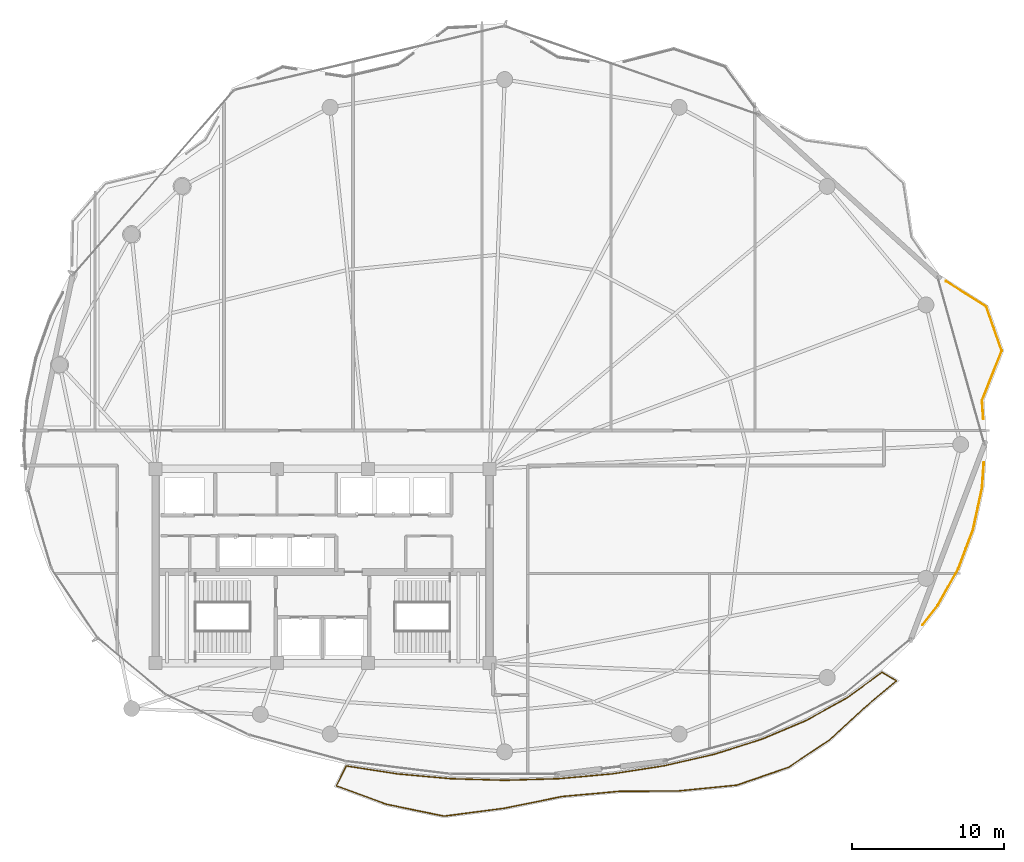
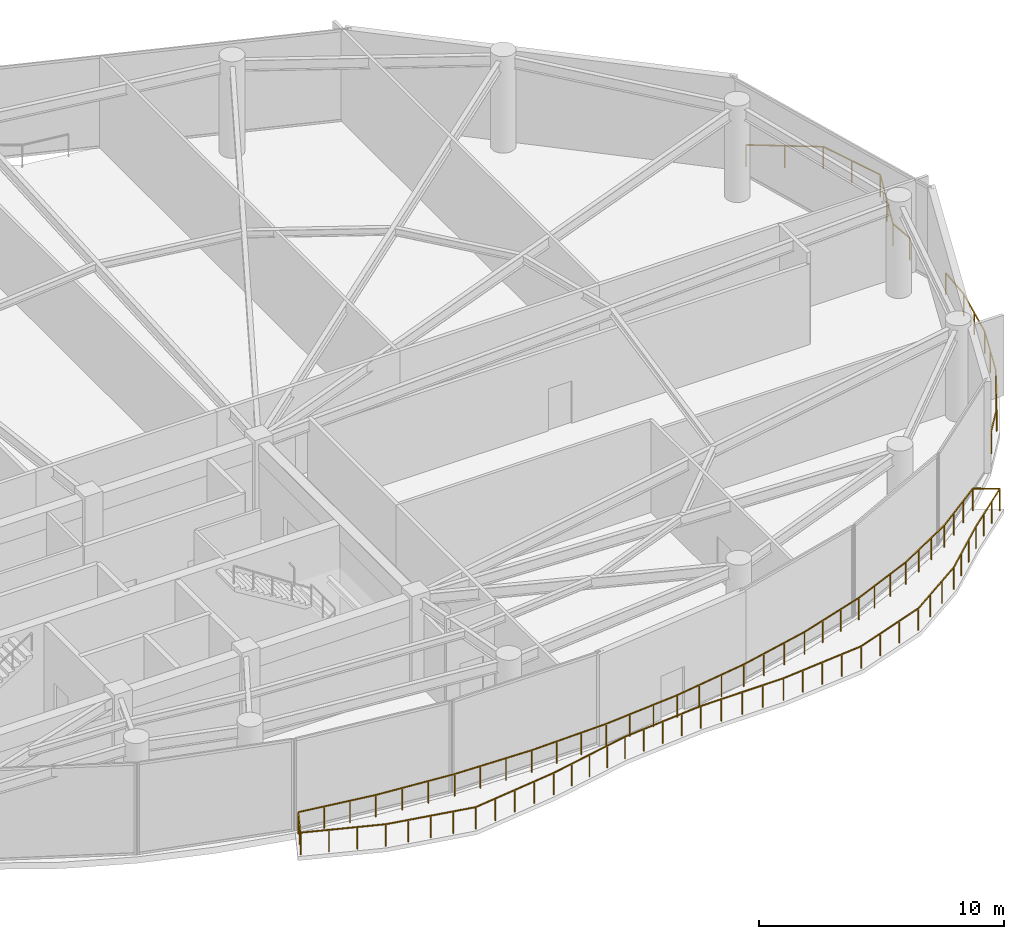
# One storey, part 27 of 28: 3 railings.
"""IFC4 building model written with IfcOpenShell, lengths in metres."""

import ifcopenshell
import ifcopenshell.guid

model = None  # the IFC model being written
_history = None  # IfcOwnerHistory: only IFC2X3 demands one
_inside = {}  # id of a spatial element -> (the spatial element, [elements in it])
_under = {}  # id of a project, library or spatial element -> (it, [spatial elements below it])
_declared = {}  # id of a project -> (the project, [libraries it declares])
_typed = {}  # id of a type object -> (the type object, [elements of that type])
_made_of = {}  # id of a material, layer set ... -> (it, [elements and type objects made of it])


def new_model(schema):
    """Start an empty IFC model of exactly this schema.

    Asked for "IFC4X3", IfcOpenShell would pick the latest addendum, in which some entities
    have other attributes; the version numbers below select the first issue.
    IFC2X3 requires an IfcOwnerHistory on every rooted entity: one is made here for all.
    """
    global model, _history
    if schema == "IFC4X3":
        model = ifcopenshell.file(schema_version=(4, 3, 0, 0))
    else:
        model = ifcopenshell.file(schema=schema)
    _inside.clear()
    _under.clear()
    _declared.clear()
    _typed.clear()
    _made_of.clear()
    _history = None
    if model.schema == "IFC2X3":
        org = make("IfcOrganization", Name="unknown")
        user = make(
            "IfcPersonAndOrganization",
            ThePerson=make("IfcPerson", FamilyName="unknown"),
            TheOrganization=org,
        )
        app = make(
            "IfcApplication",
            ApplicationDeveloper=org,
            Version="unknown",
            ApplicationFullName="unknown",
            ApplicationIdentifier="unknown",
        )
        _history = make(
            "IfcOwnerHistory",
            OwningUser=user,
            OwningApplication=app,
            ChangeAction="ADDED",
            CreationDate=0,
        )
    return model


def make(cls, **values):
    """One entity of the class cls with the attributes given. An attribute that is None is left unset."""
    return model.create_entity(
        cls, **{name: value for name, value in values.items() if value is not None}
    )


def rooted(cls, **values):
    """An entity with a GlobalId (a new one), such as an element, a storey or a relation."""
    return make(cls, GlobalId=ifcopenshell.guid.new(), OwnerHistory=_history, **values)


def si_unit(unit_type, name, prefix=None):
    """IfcSIUnit, for example si_unit("LENGTHUNIT", "METRE", prefix="MILLI")."""
    return make("IfcSIUnit", UnitType=unit_type, Prefix=prefix, Name=name)


def assignment(units):
    """IfcUnitAssignment: the units of a project."""
    return None if units is None else make("IfcUnitAssignment", Units=units)


def point(xyz):
    """IfcCartesianPoint."""
    return None if xyz is None else make("IfcCartesianPoint", Coordinates=xyz)


def direction(xyz):
    """IfcDirection."""
    return None if xyz is None else make("IfcDirection", DirectionRatios=xyz)


def frame(location, z_axis=None, x_axis=None):
    """IfcAxis2Placement3D, a coordinate frame: its origin and axes. An axis left out is left unset."""
    return make(
        "IfcAxis2Placement3D",
        Location=point(location),
        Axis=direction(z_axis),
        RefDirection=direction(x_axis),
    )


def frame_2d(location, x_axis=None):
    """IfcAxis2Placement2D, a coordinate frame in the plane: its origin and x axis."""
    return make(
        "IfcAxis2Placement2D", Location=point(location), RefDirection=direction(x_axis)
    )


def origin():
    """The frame at (0, 0, 0) with its axes left unset."""
    return frame((0.0, 0.0, 0.0))


def origin_2d():
    """The frame at (0, 0) in the plane with its x axis left unset."""
    return frame_2d((0.0, 0.0))


def place(relative_to, where):
    """IfcLocalPlacement: puts the frame where relative to a parent placement (None: the world)."""
    return make(
        "IfcLocalPlacement", PlacementRelTo=relative_to, RelativePlacement=where
    )


def context(
    kind, dimensions, precision=None, world=None, true_north=None, identifier=None
):
    """IfcGeometricRepresentationContext, for example the 3D "Model" context."""
    return make(
        "IfcGeometricRepresentationContext",
        ContextIdentifier=identifier,
        ContextType=kind,
        CoordinateSpaceDimension=dimensions,
        Precision=precision,
        WorldCoordinateSystem=world,
        TrueNorth=true_north,
    )


def subcontext(parent, identifier, kind, view, scale=None):
    """IfcGeometricRepresentationSubContext, for example "Body" below "Model"."""
    return make(
        "IfcGeometricRepresentationSubContext",
        ContextIdentifier=identifier,
        ContextType=kind,
        ParentContext=parent,
        TargetScale=scale,
        TargetView=view,
    )


def project(units=None, contexts=None):
    """IfcProject with its units and contexts."""
    return rooted(
        "IfcProject",
        Name="project",
        RepresentationContexts=contexts,
        UnitsInContext=assignment(units),
    )


def spatial(cls, under=None, at=None, **own):
    """A site, building, storey or space (cls), placed at a placement, below another one or the project."""
    s = rooted(cls, ObjectPlacement=at, **own)
    if under is not None:
        _under.setdefault(under.id(), (under, []))[1].append(s)
    return s


def profile(cls, at=None, kind="AREA", **sizes):
    """A parametric profile (cls). Its sizes go by their IFC names, for example OverallWidth=200.0."""
    return make(cls, ProfileType=kind, Position=at, **sizes)


def rectangle(**sizes):
    """IfcRectangleProfileDef."""
    return profile("IfcRectangleProfileDef", **sizes)


def extrude(swept, where, along, depth):
    """IfcExtrudedAreaSolid: the profile swept, set in the frame where, extruded along a direction by depth."""
    return make(
        "IfcExtrudedAreaSolid",
        SweptArea=swept,
        Position=where,
        ExtrudedDirection=direction(along),
        Depth=depth,
    )


def shape(context_of_items, identifier, shape_type, items):
    """IfcShapeRepresentation: the items that make up one representation, for example the "Body"."""
    return make(
        "IfcShapeRepresentation",
        ContextOfItems=context_of_items,
        RepresentationIdentifier=identifier,
        RepresentationType=shape_type,
        Items=items,
    )


def material(Name=None, Category=None):
    """IfcMaterial."""
    return make("IfcMaterial", Name=Name, Category=Category)


def made_of(thing, what):
    """Note that an element or type object is made of a material, layer set ...; save() writes the relation."""
    if what is not None:
        _made_of.setdefault(what.id(), (what, []))[1].append(thing)
    return thing


def type_object(cls, material=None, **own):
    """A type object (cls), such as IfcWallType, which elements share."""
    return made_of(rooted(cls, **own), material)


def element(
    cls,
    number,
    at=None,
    inside=None,
    cuts=None,
    type_object=None,
    material=None,
    context=None,
    identifier="Body",
    shape_type=None,
    held_by="IfcProductDefinitionShape",
    body=None,
    shapes=None,
    **own,
):
    """One element of the class cls, such as IfcWall. Its Tag is "e" and its number.

    at: its placement. inside: the storey or other place that contains it. cuts: it is an
    opening in that element (IfcRelVoidsElement). A single representation is given by context,
    identifier, shape_type and body (its items); several are given by shapes. held_by: the class
    of the entity that holds the representations. save() writes the other relations.
    """
    e = rooted(cls, Tag="e%d" % number, ObjectPlacement=at, **own)
    if body is not None:
        shapes = [shape(context, identifier, shape_type, body)]
    if shapes is not None:
        e.Representation = make(held_by, Representations=shapes)
    if inside is not None:
        _inside.setdefault(inside.id(), (inside, []))[1].append(e)
    if cuts is not None:
        rooted(
            "IfcRelVoidsElement", RelatingBuildingElement=cuts, RelatedOpeningElement=e
        )
    if type_object is not None:
        _typed.setdefault(type_object.id(), (type_object, []))[1].append(e)
    return made_of(e, material)


def aggregate(whole, parts):
    """IfcRelAggregates: a whole, such as a stair, and the parts it consists of."""
    return rooted("IfcRelAggregates", RelatingObject=whole, RelatedObjects=parts)


def save(model, path):
    """Write the relations noted so far, then the file.

    IfcRelAggregates (storeys below a building ...), IfcRelContainedInSpatialStructure (elements
    in a storey), IfcRelDefinesByType, IfcRelAssociatesMaterial and IfcRelDeclares: one each for
    every whole, place, type object, material and project.
    """
    for whole, parts in _under.values():
        aggregate(whole, parts)
    for where, things in _inside.values():
        rooted(
            "IfcRelContainedInSpatialStructure",
            RelatedElements=things,
            RelatingStructure=where,
        )
    for kind, things in _typed.values():
        rooted("IfcRelDefinesByType", RelatedObjects=things, RelatingType=kind)
    for what, things in _made_of.values():
        rooted("IfcRelAssociatesMaterial", RelatedObjects=things, RelatingMaterial=what)
    for by, libraries in _declared.values():
        rooted("IfcRelDeclares", RelatingContext=by, RelatedDefinitions=libraries)
    model.write(path)


model = new_model("IFC4")

# Units and contexts
model_context = context("Model", 3, precision=1e-05, world=origin(), true_north=direction((0.0, 1.0)))
body_context = subcontext(model_context, "Body", "Model", "MODEL_VIEW")
ifc_project = project(units=[si_unit("LENGTHUNIT", "METRE"), si_unit("AREAUNIT", "SQUARE_METRE"), si_unit("VOLUMEUNIT", "CUBIC_METRE"), si_unit("PLANEANGLEUNIT", "RADIAN"), si_unit("MASSUNIT", "GRAM", prefix="KILO")], contexts=[model_context])

# Site, building, storey
site_placement = place(None, origin())
site = spatial("IfcSite", under=ifc_project, at=site_placement, CompositionType="ELEMENT")
building_placement = place(site_placement, origin())
building = spatial("IfcBuilding", under=site, at=building_placement, Name="Kazevale Care Tower and Concert Hall", CompositionType="ELEMENT")
storey_placement = place(building_placement, frame((0.0, 0.0, 190.800048828125)))
storey = spatial("IfcBuildingStorey", under=building, at=storey_placement, Name="L50", CompositionType="ELEMENT", Elevation=190.800048828125)

# Railings
ifc_material = material(Name="Anodised Bronze Aluminium and Laminated Glass", Category="aluminium")
railing_type = type_object("IfcRailingType", Name="Balcony and Terrace Balustrade 1120", PredefinedType="BALUSTRADE", material=ifc_material)
railing_1_placement = place(storey_placement, frame((76.576904296875, 36.81103515625, 0.0)))
element("IfcRailing", 1, at=railing_1_placement, inside=storey, type_object=railing_type, Name="rail:L50:perim:10", PredefinedType="BALUSTRADE", context=body_context, shape_type="SweptSolid", body=[
    extrude(rectangle(XDim=0.048095703125, YDim=0.048095703125, at=origin_2d()), frame((0.0, 0.0, 1.09619140625), z_axis=(-0.069683140934, -0.997569175481, 0.0), x_axis=(0.997569175481, -0.069683140934, 0.0)), (0.0, 0.0, 1.0), 1.664306640625),
    extrude(rectangle(XDim=0.048095703125, YDim=0.048095703125, at=origin_2d()), frame((-0.115966796875, -1.66015625, 1.09619140625), z_axis=(-0.210886672564, -0.97751051725, 0.0), x_axis=(0.97751051725, -0.210886672564, 0.0)), (0.0, 0.0, 1.0), 2.81201171875),
    extrude(rectangle(XDim=0.048095703125, YDim=0.048095703125, at=origin_2d()), frame((-0.708984375, -4.408935546875, 1.09619140625), z_axis=(-0.352914941795, -0.935655408715, 0.0), x_axis=(0.935655408715, -0.352914941795, 0.0)), (0.0, 0.0, 1.0), 2.77685546875),
    extrude(rectangle(XDim=0.048095703125, YDim=0.048095703125, at=origin_2d()), frame((-1.68896484375, -7.007080078125, 1.09619140625), z_axis=(-0.490131162051, -0.871648692987, 0.0), x_axis=(0.871648692987, -0.490131162051, 0.0)), (0.0, 0.0, 1.0), 2.762451171875),
    extrude(rectangle(XDim=0.048095703125, YDim=0.048095703125, at=origin_2d()), frame((-3.04296875, -9.4150390625, 1.09619140625), z_axis=(-0.615507243123, -0.788131228707, 0.0), x_axis=(0.788131228707, -0.615507243123, 0.0)), (0.0, 0.0, 1.0), 1.6279296875),
    extrude(rectangle(XDim=0.0419921875, YDim=0.0419921875, at=origin_2d()), origin(), (0.0, 0.0, 1.0), 1.072021484375),
    extrude(rectangle(XDim=0.0419921875, YDim=0.0419921875, at=origin_2d()), frame((-0.115966796875, -1.66015625, 0.0)), (0.0, 0.0, 1.0), 1.072021484375),
    extrude(rectangle(XDim=0.0419921875, YDim=0.0419921875, at=origin_2d()), frame((-0.41259765625, -3.03466796875, 0.0)), (0.0, 0.0, 1.0), 1.072021484375),
    extrude(rectangle(XDim=0.0419921875, YDim=0.0419921875, at=origin_2d()), frame((-0.708984375, -4.408935546875, 0.0)), (0.0, 0.0, 1.0), 1.072021484375),
    extrude(rectangle(XDim=0.0419921875, YDim=0.0419921875, at=origin_2d()), frame((-1.198974609375, -5.7080078125, 0.0)), (0.0, 0.0, 1.0), 1.072021484375),
    extrude(rectangle(XDim=0.0419921875, YDim=0.0419921875, at=origin_2d()), frame((-1.68896484375, -7.007080078125, 0.0)), (0.0, 0.0, 1.0), 1.072021484375),
    extrude(rectangle(XDim=0.0419921875, YDim=0.0419921875, at=origin_2d()), frame((-2.365966796875, -8.2109375, 0.0)), (0.0, 0.0, 1.0), 1.072021484375),
    extrude(rectangle(XDim=0.0419921875, YDim=0.0419921875, at=origin_2d()), frame((-3.04296875, -9.4150390625, 0.0)), (0.0, 0.0, 1.0), 1.072021484375),
    extrude(rectangle(XDim=0.0419921875, YDim=0.0419921875, at=origin_2d()), frame((-4.044921875, -10.697998046875, 0.0)), (0.0, 0.0, 1.0), 1.072021484375),
])
railing_2_placement = place(storey_placement, frame((74.073974609375, 48.760009765625, 0.0)))
element("IfcRailing", 2, at=railing_2_placement, inside=storey, type_object=railing_type, Name="rail:L50:perim:11", PredefinedType="BALUSTRADE", context=body_context, shape_type="SweptSolid", body=[
    extrude(rectangle(XDim=0.048095703125, YDim=0.048095703125, at=origin_2d()), frame((0.0, 0.0, 1.09619140625), z_axis=(0.845028885188, -0.534720659034, 0.0), x_axis=(0.534720659034, 0.845028885188, 0.0)), (0.0, 0.0, 1.0), 3.155029296875),
    extrude(rectangle(XDim=0.048095703125, YDim=0.048095703125, at=origin_2d()), frame((2.666015625, -1.68701171875, 1.09619140625), z_axis=(0.330541862018, -0.943791331521, 0.0), x_axis=(0.943791331521, 0.330541862018, 0.0)), (0.0, 0.0, 1.0), 3.0673828125),
    extrude(rectangle(XDim=0.048095703125, YDim=0.048095703125, at=origin_2d()), frame((3.679931640625, -4.58203125, 1.09619140625), z_axis=(-0.368706440166, -0.929545889658, 0.0), x_axis=(0.929545889658, -0.368706440166, 0.0)), (0.0, 0.0, 1.0), 3.5146484375),
    extrude(rectangle(XDim=0.048095703125, YDim=0.048095703125, at=origin_2d()), frame((2.384033203125, -7.84912109375, 1.09619140625), z_axis=(0.069088253147, -0.997610551907, 0.0), x_axis=(0.997610551907, 0.069088253147, 0.0)), (0.0, 0.0, 1.0), 1.229736328125),
    extrude(rectangle(XDim=0.0419921875, YDim=0.0419921875, at=origin_2d()), origin(), (0.0, 0.0, 1.0), 1.072021484375),
    extrude(rectangle(XDim=0.0419921875, YDim=0.0419921875, at=origin_2d()), frame((1.3330078125, -0.843505859375, 0.0)), (0.0, 0.0, 1.0), 1.072021484375),
    extrude(rectangle(XDim=0.0419921875, YDim=0.0419921875, at=origin_2d()), frame((2.666015625, -1.68701171875, 0.0)), (0.0, 0.0, 1.0), 1.072021484375),
    extrude(rectangle(XDim=0.0419921875, YDim=0.0419921875, at=origin_2d()), frame((3.1728515625, -3.134521484375, 0.0)), (0.0, 0.0, 1.0), 1.072021484375),
    extrude(rectangle(XDim=0.0419921875, YDim=0.0419921875, at=origin_2d()), frame((3.679931640625, -4.58203125, 0.0)), (0.0, 0.0, 1.0), 1.072021484375),
    extrude(rectangle(XDim=0.0419921875, YDim=0.0419921875, at=origin_2d()), frame((3.031982421875, -6.215576171875, 0.0)), (0.0, 0.0, 1.0), 1.072021484375),
    extrude(rectangle(XDim=0.0419921875, YDim=0.0419921875, at=origin_2d()), frame((2.384033203125, -7.84912109375, 0.0)), (0.0, 0.0, 1.0), 1.072021484375),
    extrude(rectangle(XDim=0.0419921875, YDim=0.0419921875, at=origin_2d()), frame((2.468994140625, -9.075927734375, 0.0)), (0.0, 0.0, 1.0), 1.072021484375),
])
railing_3_placement = place(storey_placement, frame((34.56298828125, 16.819091796875, 0.0)))
element("IfcRailing", 3, at=railing_3_placement, inside=storey, type_object=railing_type, Name="rail:L50:balcony", PredefinedType="BALUSTRADE", context=body_context, shape_type="SweptSolid", body=[
    extrude(rectangle(XDim=0.048095703125, YDim=0.048095703125, at=origin_2d()), frame((0.0, 0.0, 1.09619140625), z_axis=(0.988093340761, -0.15385561395, 0.0), x_axis=(0.15385561395, 0.988093340761, 0.0)), (0.0, 0.0, 1.0), 3.38623046875),
    extrude(rectangle(XDim=0.048095703125, YDim=0.048095703125, at=origin_2d()), frame((3.345947265625, -0.52099609375, 1.09619140625), z_axis=(0.995947899496, -0.089932093766, 0.0), x_axis=(0.089932093766, 0.995947899496, 0.0)), (0.0, 0.0, 1.0), 3.537353515625),
    extrude(rectangle(XDim=0.048095703125, YDim=0.048095703125, at=origin_2d()), frame((6.868896484375, -0.839111328125, 1.09619140625), z_axis=(0.999567458851, -0.029409100739, 0.0), x_axis=(0.029409100739, 0.999567458851, 0.0)), (0.0, 0.0, 1.0), 3.569580078125),
    extrude(rectangle(XDim=0.048095703125, YDim=0.048095703125, at=origin_2d()), frame((10.43701171875, -0.944091796875, 1.09619140625), z_axis=(0.999567458851, 0.029409100739, 0.0), x_axis=(-0.029409100739, 0.999567458851, 0.0)), (0.0, 0.0, 1.0), 3.569580078125),
    extrude(rectangle(XDim=0.048095703125, YDim=0.048095703125, at=origin_2d()), frame((14.005126953125, -0.839111328125, 1.09619140625), z_axis=(0.995947899496, 0.089932093766, 0.0), x_axis=(-0.089932093766, 0.995947899496, 0.0)), (0.0, 0.0, 1.0), 3.537353515625),
    extrude(rectangle(XDim=0.048095703125, YDim=0.048095703125, at=origin_2d()), frame((17.528076171875, -0.52099609375, 1.09619140625), z_axis=(0.988098216207, 0.153824299539, 0.0), x_axis=(-0.153824299539, 0.988098216207, 0.0)), (0.0, 0.0, 1.0), 3.4775390625),
    extrude(rectangle(XDim=0.048095703125, YDim=0.048095703125, at=origin_2d()), frame((20.964111328125, 0.013916015625, 1.09619140625), z_axis=(0.974534254558, 0.224238682418, 0.0), x_axis=(-0.224238682418, 0.974534254558, 0.0)), (0.0, 0.0, 1.0), 3.389404296875),
    extrude(rectangle(XDim=0.048095703125, YDim=0.048095703125, at=origin_2d()), frame((24.26708984375, 0.77392578125, 1.09619140625), z_axis=(0.953239514235, 0.302215864078, 0.0), x_axis=(-0.302215864078, 0.953239514235, 0.0)), (0.0, 0.0, 1.0), 3.285400390625),
    extrude(rectangle(XDim=0.048095703125, YDim=0.048095703125, at=origin_2d()), frame((27.39892578125, 1.766845703125, 1.09619140625), z_axis=(0.921006567992, 0.389547046858, 0.0), x_axis=(-0.389547046858, 0.921006567992, 0.0)), (0.0, 0.0, 1.0), 3.170654296875),
    extrude(rectangle(XDim=0.048095703125, YDim=0.048095703125, at=origin_2d()), frame((30.319091796875, 3.001953125, 1.09619140625), z_axis=(0.874149737903, 0.485656499724, 0.0), x_axis=(-0.485656499724, 0.874149737903, 0.0)), (0.0, 0.0, 1.0), 3.055419921875),
    extrude(rectangle(XDim=0.048095703125, YDim=0.048095703125, at=origin_2d()), frame((32.989990234375, 4.48583984375, 1.09619140625), z_axis=(0.809111467971, 0.587655198562, 0.0), x_axis=(-0.587655198562, 0.809111467971, 0.0)), (0.0, 0.0, 1.0), 2.867431640625),
    extrude(rectangle(XDim=0.048095703125, YDim=0.048095703125, at=origin_2d()), frame((35.31005859375, 6.1708984375, 1.09619140625), z_axis=(0.858355490947, -0.513055407497, 0.0), x_axis=(0.513055407497, 0.858355490947, 0.0)), (0.0, 0.0, 1.0), 1.097412109375),
    extrude(rectangle(XDim=0.048095703125, YDim=0.048095703125, at=origin_2d()), frame((36.251953125, 5.60791015625, 1.09619140625), z_axis=(-0.765382237853, -0.643575970635, 0.0), x_axis=(0.643575970635, -0.765382237853, 0.0)), (0.0, 0.0, 1.0), 2.84814453125),
    extrude(rectangle(XDim=0.048095703125, YDim=0.048095703125, at=origin_2d()), frame((34.072021484375, 3.77490234375, 1.09619140625), z_axis=(-0.734809593591, -0.678273441296, 0.0), x_axis=(0.678273441296, -0.734809593591, 0.0)), (0.0, 0.0, 1.0), 3.04443359375),
    extrude(rectangle(XDim=0.048095703125, YDim=0.048095703125, at=origin_2d()), frame((31.8349609375, 1.7099609375, 1.09619140625), z_axis=(-0.832223601123, -0.554440148018, 0.0), x_axis=(0.554440148018, -0.832223601123, 0.0)), (0.0, 0.0, 1.0), 3.250244140625),
    extrude(rectangle(XDim=0.048095703125, YDim=0.048095703125, at=origin_2d()), frame((29.130126953125, -0.092041015625, 1.09619140625), z_axis=(-0.944927546461, -0.327279592915, 0.0), x_axis=(0.327279592915, -0.944927546461, 0.0)), (0.0, 0.0, 1.0), 3.57177734375),
    extrude(rectangle(XDim=0.048095703125, YDim=0.048095703125, at=origin_2d()), frame((25.755126953125, -1.260986328125, 1.09619140625), z_axis=(-0.995092942124, -0.098944613476, 0.0), x_axis=(0.098944613476, -0.995092942124, 0.0)), (0.0, 0.0, 1.0), 3.89111328125),
    extrude(rectangle(XDim=0.048095703125, YDim=0.048095703125, at=origin_2d()), frame((21.883056640625, -1.64599609375, 1.09619140625), z_axis=(-0.99997777298, -0.006667349309, 0.0), x_axis=(0.006667349309, -0.99997777298, 0.0)), (0.0, 0.0, 1.0), 3.91796875),
    extrude(rectangle(XDim=0.048095703125, YDim=0.048095703125, at=origin_2d()), frame((17.965087890625, -1.672119140625, 1.09619140625), z_axis=(-0.99587513771, -0.090734282886, 0.0), x_axis=(0.090734282886, -0.99587513771, 0.0)), (0.0, 0.0, 1.0), 3.769775390625),
    extrude(rectangle(XDim=0.048095703125, YDim=0.048095703125, at=origin_2d()), frame((14.2109375, -2.01416015625, 1.09619140625), z_axis=(-0.979871067121, -0.199631389865, 0.0), x_axis=(0.199631389865, -0.979871067121, 0.0)), (0.0, 0.0, 1.0), 3.871826171875),
    extrude(rectangle(XDim=0.048095703125, YDim=0.048095703125, at=origin_2d()), frame((10.4169921875, -2.787109375, 1.09619140625), z_axis=(-0.991590904465, -0.12941204806, 0.0), x_axis=(0.12941204806, -0.991590904465, 0.0)), (0.0, 0.0, 1.0), 4.0107421875),
    extrude(rectangle(XDim=0.048095703125, YDim=0.048095703125, at=origin_2d()), frame((6.43994140625, -3.30615234375, 1.09619140625), z_axis=(-0.979336041778, 0.202239751962, 0.0), x_axis=(-0.202239751962, -0.979336041778, 0.0)), (0.0, 0.0, 1.0), 3.86181640625),
    extrude(rectangle(XDim=0.048095703125, YDim=0.048095703125, at=origin_2d()), frame((2.657958984375, -2.525146484375, 1.09619140625), z_axis=(-0.938478951026, 0.345336442445, 0.0), x_axis=(-0.345336442445, -0.938478951026, 0.0)), (0.0, 0.0, 1.0), 3.527099609375),
    extrude(rectangle(XDim=0.048095703125, YDim=0.048095703125, at=origin_2d()), frame((-0.652099609375, -1.30712890625, 1.09619140625), z_axis=(0.446411179125, 0.89482794947, 0.0), x_axis=(-0.89482794947, 0.446411179125, 0.0)), (0.0, 0.0, 1.0), 1.460693359375),
    extrude(rectangle(XDim=0.0419921875, YDim=0.0419921875, at=origin_2d()), origin(), (0.0, 0.0, 1.0), 1.072021484375),
    extrude(rectangle(XDim=0.0419921875, YDim=0.0419921875, at=origin_2d()), frame((1.115234375, -0.173583984375, 0.0)), (0.0, 0.0, 1.0), 1.072021484375),
    extrude(rectangle(XDim=0.0419921875, YDim=0.0419921875, at=origin_2d()), frame((2.230712890625, -0.347412109375, 0.0)), (0.0, 0.0, 1.0), 1.072021484375),
    extrude(rectangle(XDim=0.0419921875, YDim=0.0419921875, at=origin_2d()), frame((3.345947265625, -0.52099609375, 0.0)), (0.0, 0.0, 1.0), 1.072021484375),
    extrude(rectangle(XDim=0.0419921875, YDim=0.0419921875, at=origin_2d()), frame((4.520263671875, -0.626953125, 0.0)), (0.0, 0.0, 1.0), 1.072021484375),
    extrude(rectangle(XDim=0.0419921875, YDim=0.0419921875, at=origin_2d()), frame((5.694580078125, -0.733154296875, 0.0)), (0.0, 0.0, 1.0), 1.072021484375),
    extrude(rectangle(XDim=0.0419921875, YDim=0.0419921875, at=origin_2d()), frame((6.868896484375, -0.839111328125, 0.0)), (0.0, 0.0, 1.0), 1.072021484375),
    extrude(rectangle(XDim=0.0419921875, YDim=0.0419921875, at=origin_2d()), frame((8.058349609375, -0.8740234375, 0.0)), (0.0, 0.0, 1.0), 1.072021484375),
    extrude(rectangle(XDim=0.0419921875, YDim=0.0419921875, at=origin_2d()), frame((9.24755859375, -0.9091796875, 0.0)), (0.0, 0.0, 1.0), 1.072021484375),
    extrude(rectangle(XDim=0.0419921875, YDim=0.0419921875, at=origin_2d()), frame((10.43701171875, -0.944091796875, 0.0)), (0.0, 0.0, 1.0), 1.072021484375),
    extrude(rectangle(XDim=0.0419921875, YDim=0.0419921875, at=origin_2d()), frame((11.62646484375, -0.9091796875, 0.0)), (0.0, 0.0, 1.0), 1.072021484375),
    extrude(rectangle(XDim=0.0419921875, YDim=0.0419921875, at=origin_2d()), frame((12.815673828125, -0.8740234375, 0.0)), (0.0, 0.0, 1.0), 1.072021484375),
    extrude(rectangle(XDim=0.0419921875, YDim=0.0419921875, at=origin_2d()), frame((14.005126953125, -0.839111328125, 0.0)), (0.0, 0.0, 1.0), 1.072021484375),
    extrude(rectangle(XDim=0.0419921875, YDim=0.0419921875, at=origin_2d()), frame((15.179443359375, -0.733154296875, 0.0)), (0.0, 0.0, 1.0), 1.072021484375),
    extrude(rectangle(XDim=0.0419921875, YDim=0.0419921875, at=origin_2d()), frame((16.353759765625, -0.626953125, 0.0)), (0.0, 0.0, 1.0), 1.072021484375),
    extrude(rectangle(XDim=0.0419921875, YDim=0.0419921875, at=origin_2d()), frame((17.528076171875, -0.52099609375, 0.0)), (0.0, 0.0, 1.0), 1.072021484375),
    extrude(rectangle(XDim=0.0419921875, YDim=0.0419921875, at=origin_2d()), frame((18.67333984375, -0.3427734375, 0.0)), (0.0, 0.0, 1.0), 1.072021484375),
    extrude(rectangle(XDim=0.0419921875, YDim=0.0419921875, at=origin_2d()), frame((19.81884765625, -0.164306640625, 0.0)), (0.0, 0.0, 1.0), 1.072021484375),
    extrude(rectangle(XDim=0.0419921875, YDim=0.0419921875, at=origin_2d()), frame((20.964111328125, 0.013916015625, 0.0)), (0.0, 0.0, 1.0), 1.072021484375),
    extrude(rectangle(XDim=0.0419921875, YDim=0.0419921875, at=origin_2d()), frame((22.065185546875, 0.267333984375, 0.0)), (0.0, 0.0, 1.0), 1.072021484375),
    extrude(rectangle(XDim=0.0419921875, YDim=0.0419921875, at=origin_2d()), frame((23.166015625, 0.5205078125, 0.0)), (0.0, 0.0, 1.0), 1.072021484375),
    extrude(rectangle(XDim=0.0419921875, YDim=0.0419921875, at=origin_2d()), frame((24.26708984375, 0.77392578125, 0.0)), (0.0, 0.0, 1.0), 1.072021484375),
    extrude(rectangle(XDim=0.0419921875, YDim=0.0419921875, at=origin_2d()), frame((25.31103515625, 1.10498046875, 0.0)), (0.0, 0.0, 1.0), 1.072021484375),
    extrude(rectangle(XDim=0.0419921875, YDim=0.0419921875, at=origin_2d()), frame((26.35498046875, 1.435791015625, 0.0)), (0.0, 0.0, 1.0), 1.072021484375),
    extrude(rectangle(XDim=0.0419921875, YDim=0.0419921875, at=origin_2d()), frame((27.39892578125, 1.766845703125, 0.0)), (0.0, 0.0, 1.0), 1.072021484375),
    extrude(rectangle(XDim=0.0419921875, YDim=0.0419921875, at=origin_2d()), frame((28.372314453125, 2.178466796875, 0.0)), (0.0, 0.0, 1.0), 1.072021484375),
    extrude(rectangle(XDim=0.0419921875, YDim=0.0419921875, at=origin_2d()), frame((29.345703125, 2.59033203125, 0.0)), (0.0, 0.0, 1.0), 1.072021484375),
    extrude(rectangle(XDim=0.0419921875, YDim=0.0419921875, at=origin_2d()), frame((30.319091796875, 3.001953125, 0.0)), (0.0, 0.0, 1.0), 1.072021484375),
    extrude(rectangle(XDim=0.0419921875, YDim=0.0419921875, at=origin_2d()), frame((31.20947265625, 3.49658203125, 0.0)), (0.0, 0.0, 1.0), 1.072021484375),
    extrude(rectangle(XDim=0.0419921875, YDim=0.0419921875, at=origin_2d()), frame((32.099609375, 3.9912109375, 0.0)), (0.0, 0.0, 1.0), 1.072021484375),
    extrude(rectangle(XDim=0.0419921875, YDim=0.0419921875, at=origin_2d()), frame((32.989990234375, 4.48583984375, 0.0)), (0.0, 0.0, 1.0), 1.072021484375),
    extrude(rectangle(XDim=0.0419921875, YDim=0.0419921875, at=origin_2d()), frame((33.763427734375, 5.047607421875, 0.0)), (0.0, 0.0, 1.0), 1.072021484375),
    extrude(rectangle(XDim=0.0419921875, YDim=0.0419921875, at=origin_2d()), frame((34.53662109375, 5.609130859375, 0.0)), (0.0, 0.0, 1.0), 1.072021484375),
    extrude(rectangle(XDim=0.0419921875, YDim=0.0419921875, at=origin_2d()), frame((35.31005859375, 6.1708984375, 0.0)), (0.0, 0.0, 1.0), 1.072021484375),
    extrude(rectangle(XDim=0.0419921875, YDim=0.0419921875, at=origin_2d()), frame((36.251953125, 5.60791015625, 0.0)), (0.0, 0.0, 1.0), 1.072021484375),
    extrude(rectangle(XDim=0.0419921875, YDim=0.0419921875, at=origin_2d()), frame((35.525390625, 4.996826171875, 0.0)), (0.0, 0.0, 1.0), 1.072021484375),
    extrude(rectangle(XDim=0.0419921875, YDim=0.0419921875, at=origin_2d()), frame((34.798583984375, 4.385986328125, 0.0)), (0.0, 0.0, 1.0), 1.072021484375),
    extrude(rectangle(XDim=0.0419921875, YDim=0.0419921875, at=origin_2d()), frame((34.072021484375, 3.77490234375, 0.0)), (0.0, 0.0, 1.0), 1.072021484375),
    extrude(rectangle(XDim=0.0419921875, YDim=0.0419921875, at=origin_2d()), frame((33.326416015625, 3.086669921875, 0.0)), (0.0, 0.0, 1.0), 1.072021484375),
    extrude(rectangle(XDim=0.0419921875, YDim=0.0419921875, at=origin_2d()), frame((32.58056640625, 2.398193359375, 0.0)), (0.0, 0.0, 1.0), 1.072021484375),
    extrude(rectangle(XDim=0.0419921875, YDim=0.0419921875, at=origin_2d()), frame((31.8349609375, 1.7099609375, 0.0)), (0.0, 0.0, 1.0), 1.072021484375),
    extrude(rectangle(XDim=0.0419921875, YDim=0.0419921875, at=origin_2d()), frame((30.933349609375, 1.109375, 0.0)), (0.0, 0.0, 1.0), 1.072021484375),
    extrude(rectangle(XDim=0.0419921875, YDim=0.0419921875, at=origin_2d()), frame((30.03173828125, 0.508544921875, 0.0)), (0.0, 0.0, 1.0), 1.072021484375),
    extrude(rectangle(XDim=0.0419921875, YDim=0.0419921875, at=origin_2d()), frame((29.130126953125, -0.092041015625, 0.0)), (0.0, 0.0, 1.0), 1.072021484375),
    extrude(rectangle(XDim=0.0419921875, YDim=0.0419921875, at=origin_2d()), frame((28.005126953125, -0.481689453125, 0.0)), (0.0, 0.0, 1.0), 1.072021484375),
    extrude(rectangle(XDim=0.0419921875, YDim=0.0419921875, at=origin_2d()), frame((26.880126953125, -0.871337890625, 0.0)), (0.0, 0.0, 1.0), 1.072021484375),
    extrude(rectangle(XDim=0.0419921875, YDim=0.0419921875, at=origin_2d()), frame((25.755126953125, -1.260986328125, 0.0)), (0.0, 0.0, 1.0), 1.072021484375),
    extrude(rectangle(XDim=0.0419921875, YDim=0.0419921875, at=origin_2d()), frame((24.787109375, -1.357177734375, 0.0)), (0.0, 0.0, 1.0), 1.072021484375),
    extrude(rectangle(XDim=0.0419921875, YDim=0.0419921875, at=origin_2d()), frame((23.819091796875, -1.45361328125, 0.0)), (0.0, 0.0, 1.0), 1.072021484375),
    extrude(rectangle(XDim=0.0419921875, YDim=0.0419921875, at=origin_2d()), frame((22.85107421875, -1.5498046875, 0.0)), (0.0, 0.0, 1.0), 1.072021484375),
    extrude(rectangle(XDim=0.0419921875, YDim=0.0419921875, at=origin_2d()), frame((21.883056640625, -1.64599609375, 0.0)), (0.0, 0.0, 1.0), 1.072021484375),
    extrude(rectangle(XDim=0.0419921875, YDim=0.0419921875, at=origin_2d()), frame((20.903564453125, -1.652587890625, 0.0)), (0.0, 0.0, 1.0), 1.072021484375),
    extrude(rectangle(XDim=0.0419921875, YDim=0.0419921875, at=origin_2d()), frame((19.924072265625, -1.6591796875, 0.0)), (0.0, 0.0, 1.0), 1.072021484375),
    extrude(rectangle(XDim=0.0419921875, YDim=0.0419921875, at=origin_2d()), frame((18.944580078125, -1.66552734375, 0.0)), (0.0, 0.0, 1.0), 1.072021484375),
    extrude(rectangle(XDim=0.0419921875, YDim=0.0419921875, at=origin_2d()), frame((17.965087890625, -1.672119140625, 0.0)), (0.0, 0.0, 1.0), 1.072021484375),
    extrude(rectangle(XDim=0.0419921875, YDim=0.0419921875, at=origin_2d()), frame((17.026611328125, -1.757568359375, 0.0)), (0.0, 0.0, 1.0), 1.072021484375),
    extrude(rectangle(XDim=0.0419921875, YDim=0.0419921875, at=origin_2d()), frame((16.087890625, -1.84326171875, 0.0)), (0.0, 0.0, 1.0), 1.072021484375),
    extrude(rectangle(XDim=0.0419921875, YDim=0.0419921875, at=origin_2d()), frame((15.1494140625, -1.9287109375, 0.0)), (0.0, 0.0, 1.0), 1.072021484375),
    extrude(rectangle(XDim=0.0419921875, YDim=0.0419921875, at=origin_2d()), frame((14.2109375, -2.01416015625, 0.0)), (0.0, 0.0, 1.0), 1.072021484375),
    extrude(rectangle(XDim=0.0419921875, YDim=0.0419921875, at=origin_2d()), frame((13.262451171875, -2.20751953125, 0.0)), (0.0, 0.0, 1.0), 1.072021484375),
    extrude(rectangle(XDim=0.0419921875, YDim=0.0419921875, at=origin_2d()), frame((12.31396484375, -2.400634765625, 0.0)), (0.0, 0.0, 1.0), 1.072021484375),
    extrude(rectangle(XDim=0.0419921875, YDim=0.0419921875, at=origin_2d()), frame((11.365478515625, -2.59375, 0.0)), (0.0, 0.0, 1.0), 1.072021484375),
    extrude(rectangle(XDim=0.0419921875, YDim=0.0419921875, at=origin_2d()), frame((10.4169921875, -2.787109375, 0.0)), (0.0, 0.0, 1.0), 1.072021484375),
    extrude(rectangle(XDim=0.0419921875, YDim=0.0419921875, at=origin_2d()), frame((9.4228515625, -2.9169921875, 0.0)), (0.0, 0.0, 1.0), 1.072021484375),
    extrude(rectangle(XDim=0.0419921875, YDim=0.0419921875, at=origin_2d()), frame((8.428466796875, -3.046630859375, 0.0)), (0.0, 0.0, 1.0), 1.072021484375),
    extrude(rectangle(XDim=0.0419921875, YDim=0.0419921875, at=origin_2d()), frame((7.43408203125, -3.17626953125, 0.0)), (0.0, 0.0, 1.0), 1.072021484375),
    extrude(rectangle(XDim=0.0419921875, YDim=0.0419921875, at=origin_2d()), frame((6.43994140625, -3.30615234375, 0.0)), (0.0, 0.0, 1.0), 1.072021484375),
    extrude(rectangle(XDim=0.0419921875, YDim=0.0419921875, at=origin_2d()), frame((5.494384765625, -3.11083984375, 0.0)), (0.0, 0.0, 1.0), 1.072021484375),
    extrude(rectangle(XDim=0.0419921875, YDim=0.0419921875, at=origin_2d()), frame((4.548828125, -2.91552734375, 0.0)), (0.0, 0.0, 1.0), 1.072021484375),
    extrude(rectangle(XDim=0.0419921875, YDim=0.0419921875, at=origin_2d()), frame((3.603515625, -2.720458984375, 0.0)), (0.0, 0.0, 1.0), 1.072021484375),
    extrude(rectangle(XDim=0.0419921875, YDim=0.0419921875, at=origin_2d()), frame((2.657958984375, -2.525146484375, 0.0)), (0.0, 0.0, 1.0), 1.072021484375),
    extrude(rectangle(XDim=0.0419921875, YDim=0.0419921875, at=origin_2d()), frame((1.5546875, -2.119140625, 0.0)), (0.0, 0.0, 1.0), 1.072021484375),
    extrude(rectangle(XDim=0.0419921875, YDim=0.0419921875, at=origin_2d()), frame((0.451171875, -1.713134765625, 0.0)), (0.0, 0.0, 1.0), 1.072021484375),
    extrude(rectangle(XDim=0.0419921875, YDim=0.0419921875, at=origin_2d()), frame((-0.652099609375, -1.30712890625, 0.0)), (0.0, 0.0, 1.0), 1.072021484375),
    extrude(rectangle(XDim=0.0419921875, YDim=0.0419921875, at=origin_2d()), frame((-0.326171875, -0.653564453125, 0.0)), (0.0, 0.0, 1.0), 1.072021484375),
])

save(model, "model.ifc")
